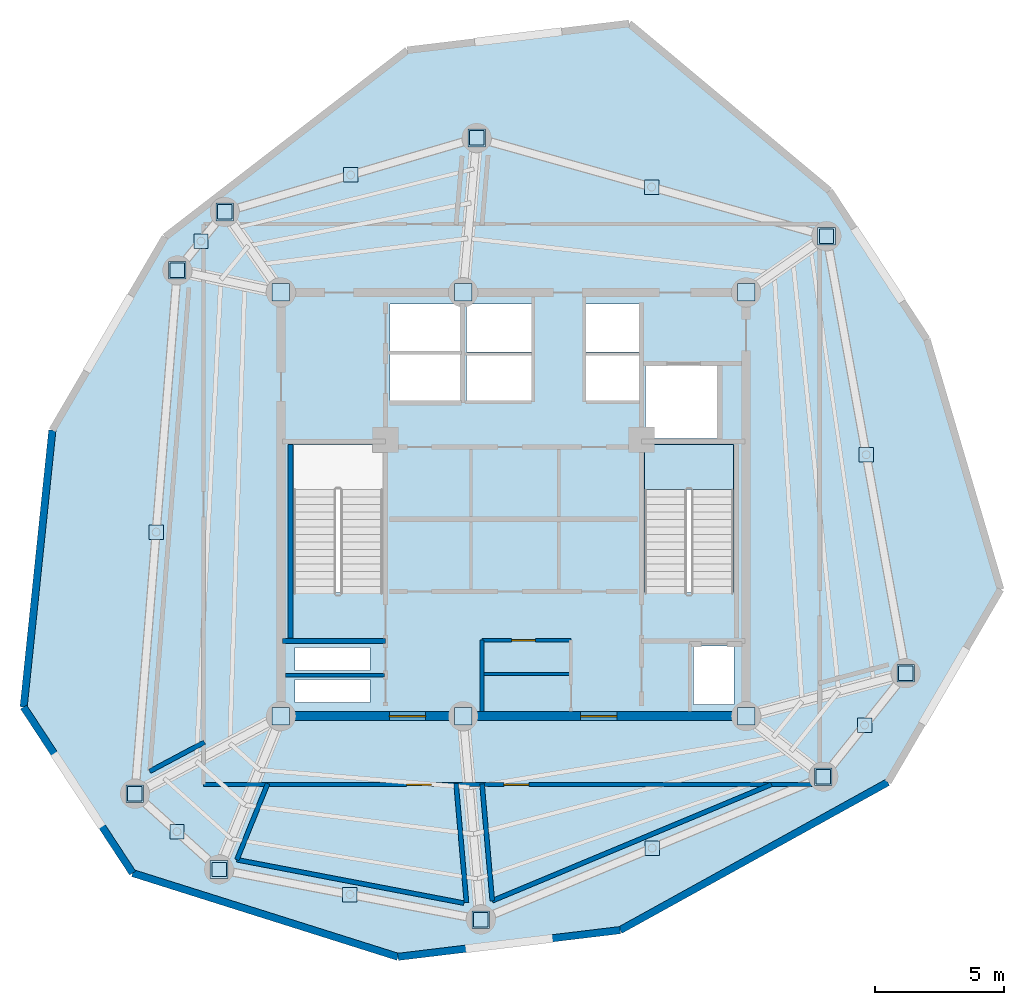
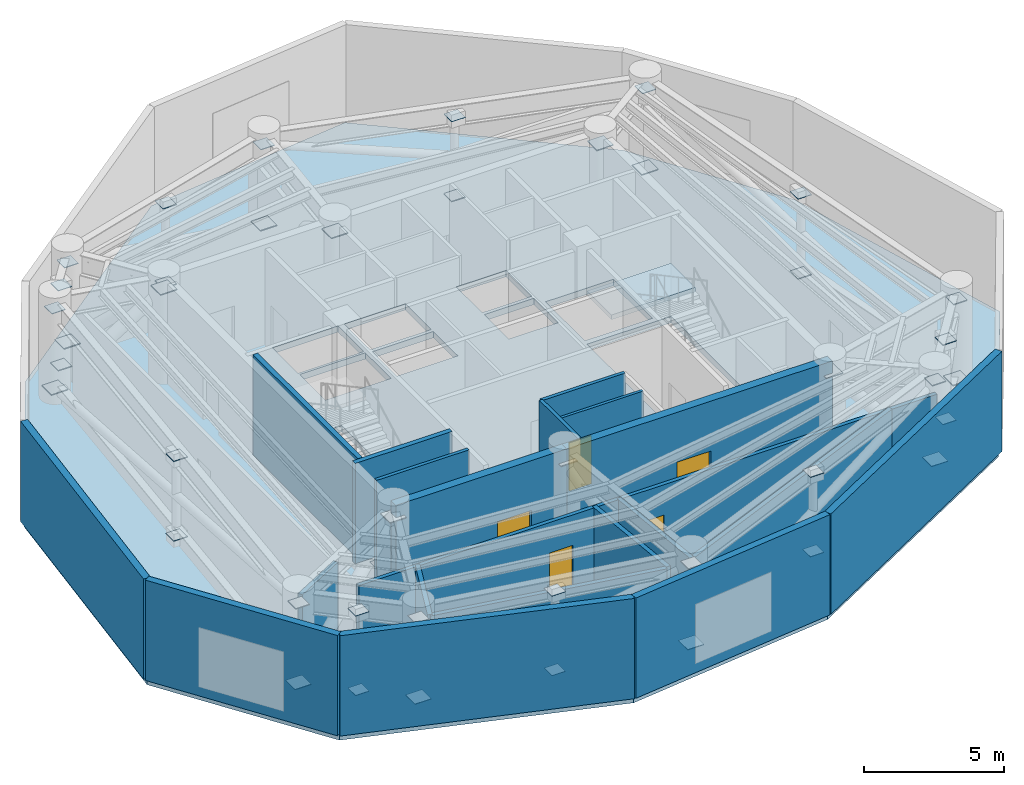
# One storey, part 3 of 8: 42 plates, 20 walls, 5 doors, 2 slabs, 5 openings, 1 element without a shape of its own.
"""IFC4 building model written with IfcOpenShell, lengths in metres."""

import ifcopenshell
import ifcopenshell.guid

model = None  # the IFC model being written
_history = None  # IfcOwnerHistory: only IFC2X3 demands one
_inside = {}  # id of a spatial element -> (the spatial element, [elements in it])
_under = {}  # id of a project, library or spatial element -> (it, [spatial elements below it])
_declared = {}  # id of a project -> (the project, [libraries it declares])
_typed = {}  # id of a type object -> (the type object, [elements of that type])
_made_of = {}  # id of a material, layer set ... -> (it, [elements and type objects made of it])


def new_model(schema):
    """Start an empty IFC model of exactly this schema.

    Asked for "IFC4X3", IfcOpenShell would pick the latest addendum, in which some entities
    have other attributes; the version numbers below select the first issue.
    IFC2X3 requires an IfcOwnerHistory on every rooted entity: one is made here for all.
    """
    global model, _history
    if schema == "IFC4X3":
        model = ifcopenshell.file(schema_version=(4, 3, 0, 0))
    else:
        model = ifcopenshell.file(schema=schema)
    _inside.clear()
    _under.clear()
    _declared.clear()
    _typed.clear()
    _made_of.clear()
    _history = None
    if model.schema == "IFC2X3":
        org = make("IfcOrganization", Name="unknown")
        user = make(
            "IfcPersonAndOrganization",
            ThePerson=make("IfcPerson", FamilyName="unknown"),
            TheOrganization=org,
        )
        app = make(
            "IfcApplication",
            ApplicationDeveloper=org,
            Version="unknown",
            ApplicationFullName="unknown",
            ApplicationIdentifier="unknown",
        )
        _history = make(
            "IfcOwnerHistory",
            OwningUser=user,
            OwningApplication=app,
            ChangeAction="ADDED",
            CreationDate=0,
        )
    return model


def make(cls, **values):
    """One entity of the class cls with the attributes given. An attribute that is None is left unset."""
    return model.create_entity(
        cls, **{name: value for name, value in values.items() if value is not None}
    )


def rooted(cls, **values):
    """An entity with a GlobalId (a new one), such as an element, a storey or a relation."""
    return make(cls, GlobalId=ifcopenshell.guid.new(), OwnerHistory=_history, **values)


def si_unit(unit_type, name, prefix=None):
    """IfcSIUnit, for example si_unit("LENGTHUNIT", "METRE", prefix="MILLI")."""
    return make("IfcSIUnit", UnitType=unit_type, Prefix=prefix, Name=name)


def assignment(units):
    """IfcUnitAssignment: the units of a project."""
    return None if units is None else make("IfcUnitAssignment", Units=units)


def point(xyz):
    """IfcCartesianPoint."""
    return None if xyz is None else make("IfcCartesianPoint", Coordinates=xyz)


def direction(xyz):
    """IfcDirection."""
    return None if xyz is None else make("IfcDirection", DirectionRatios=xyz)


def frame(location, z_axis=None, x_axis=None):
    """IfcAxis2Placement3D, a coordinate frame: its origin and axes. An axis left out is left unset."""
    return make(
        "IfcAxis2Placement3D",
        Location=point(location),
        Axis=direction(z_axis),
        RefDirection=direction(x_axis),
    )


def frame_2d(location, x_axis=None):
    """IfcAxis2Placement2D, a coordinate frame in the plane: its origin and x axis."""
    return make(
        "IfcAxis2Placement2D", Location=point(location), RefDirection=direction(x_axis)
    )


def origin():
    """The frame at (0, 0, 0) with its axes left unset."""
    return frame((0.0, 0.0, 0.0))


def origin_with_axes():
    """The frame at (0, 0, 0) with the z axis (0, 0, 1) and the x axis (1, 0, 0) written out."""
    return frame((0.0, 0.0, 0.0), z_axis=(0.0, 0.0, 1.0), x_axis=(1.0, 0.0, 0.0))


def origin_2d():
    """The frame at (0, 0) in the plane with its x axis left unset."""
    return frame_2d((0.0, 0.0))


def place(relative_to, where):
    """IfcLocalPlacement: puts the frame where relative to a parent placement (None: the world)."""
    return make(
        "IfcLocalPlacement", PlacementRelTo=relative_to, RelativePlacement=where
    )


def context(
    kind, dimensions, precision=None, world=None, true_north=None, identifier=None
):
    """IfcGeometricRepresentationContext, for example the 3D "Model" context."""
    return make(
        "IfcGeometricRepresentationContext",
        ContextIdentifier=identifier,
        ContextType=kind,
        CoordinateSpaceDimension=dimensions,
        Precision=precision,
        WorldCoordinateSystem=world,
        TrueNorth=true_north,
    )


def subcontext(parent, identifier, kind, view, scale=None):
    """IfcGeometricRepresentationSubContext, for example "Body" below "Model"."""
    return make(
        "IfcGeometricRepresentationSubContext",
        ContextIdentifier=identifier,
        ContextType=kind,
        ParentContext=parent,
        TargetScale=scale,
        TargetView=view,
    )


def project(units=None, contexts=None):
    """IfcProject with its units and contexts."""
    return rooted(
        "IfcProject",
        Name="project",
        RepresentationContexts=contexts,
        UnitsInContext=assignment(units),
    )


def spatial(cls, under=None, at=None, **own):
    """A site, building, storey or space (cls), placed at a placement, below another one or the project."""
    s = rooted(cls, ObjectPlacement=at, **own)
    if under is not None:
        _under.setdefault(under.id(), (under, []))[1].append(s)
    return s


def polyline(points):
    """IfcPolyline through the points."""
    return make("IfcPolyline", Points=[point(p) for p in points])


def profile(cls, at=None, kind="AREA", **sizes):
    """A parametric profile (cls). Its sizes go by their IFC names, for example OverallWidth=200.0."""
    return make(cls, ProfileType=kind, Position=at, **sizes)


def rectangle(**sizes):
    """IfcRectangleProfileDef."""
    return profile("IfcRectangleProfileDef", **sizes)


def outline(outer, holes=None, kind="AREA"):
    """IfcArbitraryClosedProfileDef: a profile drawn as a closed curve; with holes, ...WithVoids."""
    if holes is None:
        return make("IfcArbitraryClosedProfileDef", ProfileType=kind, OuterCurve=outer)
    return make(
        "IfcArbitraryProfileDefWithVoids",
        ProfileType=kind,
        OuterCurve=outer,
        InnerCurves=holes,
    )


def extrude(swept, where, along, depth):
    """IfcExtrudedAreaSolid: the profile swept, set in the frame where, extruded along a direction by depth."""
    return make(
        "IfcExtrudedAreaSolid",
        SweptArea=swept,
        Position=where,
        ExtrudedDirection=direction(along),
        Depth=depth,
    )


def shape(context_of_items, identifier, shape_type, items):
    """IfcShapeRepresentation: the items that make up one representation, for example the "Body"."""
    return make(
        "IfcShapeRepresentation",
        ContextOfItems=context_of_items,
        RepresentationIdentifier=identifier,
        RepresentationType=shape_type,
        Items=items,
    )


def source(mapping_origin, context_of_items, identifier, shape_type, items):
    """IfcRepresentationMap: a shape defined once, which mapped items show again and again."""
    return make(
        "IfcRepresentationMap",
        MappingOrigin=mapping_origin,
        MappedRepresentation=shape(context_of_items, identifier, shape_type, items),
    )


def transform(
    local_origin,
    x_axis=None,
    y_axis=None,
    z_axis=None,
    scale=None,
    scale2=None,
    scale3=None,
    uniform=True,
):
    """IfcCartesianTransformationOperator3D, or its non-uniform kind. x_axis, y_axis, z_axis: its Axis1, 2, 3."""
    if uniform:
        return make(
            "IfcCartesianTransformationOperator3D",
            Axis1=direction(x_axis),
            Axis2=direction(y_axis),
            LocalOrigin=point(local_origin),
            Scale=scale,
            Axis3=direction(z_axis),
        )
    return make(
        "IfcCartesianTransformationOperator3DnonUniform",
        Axis1=direction(x_axis),
        Axis2=direction(y_axis),
        LocalOrigin=point(local_origin),
        Scale=scale,
        Axis3=direction(z_axis),
        Scale2=scale2,
        Scale3=scale3,
    )


def mapped(mapping_source, mapping_target):
    """IfcMappedItem: shows the shape of a source again, moved by a transform."""
    return make(
        "IfcMappedItem", MappingSource=mapping_source, MappingTarget=mapping_target
    )


def material(Name=None, Category=None):
    """IfcMaterial."""
    return make("IfcMaterial", Name=Name, Category=Category)


def layer(
    of_material, thickness, ventilated=None, Name=None, Category=None, Priority=None
):
    """IfcMaterialLayer: one layer of a wall or slab, of a material (None: an air gap)."""
    return make(
        "IfcMaterialLayer",
        Material=of_material,
        LayerThickness=thickness,
        IsVentilated=ventilated,
        Name=Name,
        Category=Category,
        Priority=Priority,
    )


def layer_set(layers, Name=None):
    """IfcMaterialLayerSet."""
    return make("IfcMaterialLayerSet", MaterialLayers=layers, LayerSetName=Name)


def made_of(thing, what):
    """Note that an element or type object is made of a material, layer set ...; save() writes the relation."""
    if what is not None:
        _made_of.setdefault(what.id(), (what, []))[1].append(thing)
    return thing


def type_object(cls, material=None, **own):
    """A type object (cls), such as IfcWallType, which elements share."""
    return made_of(rooted(cls, **own), material)


def element(
    cls,
    number,
    at=None,
    inside=None,
    cuts=None,
    type_object=None,
    material=None,
    context=None,
    identifier="Body",
    shape_type=None,
    held_by="IfcProductDefinitionShape",
    body=None,
    shapes=None,
    **own,
):
    """One element of the class cls, such as IfcWall. Its Tag is "e" and its number.

    at: its placement. inside: the storey or other place that contains it. cuts: it is an
    opening in that element (IfcRelVoidsElement). A single representation is given by context,
    identifier, shape_type and body (its items); several are given by shapes. held_by: the class
    of the entity that holds the representations. save() writes the other relations.
    """
    e = rooted(cls, Tag="e%d" % number, ObjectPlacement=at, **own)
    if body is not None:
        shapes = [shape(context, identifier, shape_type, body)]
    if shapes is not None:
        e.Representation = make(held_by, Representations=shapes)
    if inside is not None:
        _inside.setdefault(inside.id(), (inside, []))[1].append(e)
    if cuts is not None:
        rooted(
            "IfcRelVoidsElement", RelatingBuildingElement=cuts, RelatedOpeningElement=e
        )
    if type_object is not None:
        _typed.setdefault(type_object.id(), (type_object, []))[1].append(e)
    return made_of(e, material)


def fill(opening, filler):
    """IfcRelFillsElement: the door or window that sits in an opening."""
    return rooted(
        "IfcRelFillsElement",
        RelatingOpeningElement=opening,
        RelatedBuildingElement=filler,
    )


def aggregate(whole, parts):
    """IfcRelAggregates: a whole, such as a stair, and the parts it consists of."""
    return rooted("IfcRelAggregates", RelatingObject=whole, RelatedObjects=parts)


def save(model, path):
    """Write the relations noted so far, then the file.

    IfcRelAggregates (storeys below a building ...), IfcRelContainedInSpatialStructure (elements
    in a storey), IfcRelDefinesByType, IfcRelAssociatesMaterial and IfcRelDeclares: one each for
    every whole, place, type object, material and project.
    """
    for whole, parts in _under.values():
        aggregate(whole, parts)
    for where, things in _inside.values():
        rooted(
            "IfcRelContainedInSpatialStructure",
            RelatedElements=things,
            RelatingStructure=where,
        )
    for kind, things in _typed.values():
        rooted("IfcRelDefinesByType", RelatedObjects=things, RelatingType=kind)
    for what, things in _made_of.values():
        rooted("IfcRelAssociatesMaterial", RelatedObjects=things, RelatingMaterial=what)
    for by, libraries in _declared.values():
        rooted("IfcRelDeclares", RelatingContext=by, RelatedDefinitions=libraries)
    model.write(path)


model = new_model("IFC4")

# Units and contexts
model_context = context("Model", 3, precision=1e-05, world=origin(), true_north=direction((0.0, 1.0)))
body_context = subcontext(model_context, "Body", "Model", "MODEL_VIEW")
ifc_project = project(units=[si_unit("LENGTHUNIT", "METRE"), si_unit("AREAUNIT", "SQUARE_METRE"), si_unit("VOLUMEUNIT", "CUBIC_METRE"), si_unit("PLANEANGLEUNIT", "RADIAN"), si_unit("MASSUNIT", "GRAM", prefix="KILO")], contexts=[model_context])

# Site, building, storey
site_placement = place(None, origin())
site = spatial("IfcSite", under=ifc_project, at=site_placement, CompositionType="ELEMENT")
building_placement = place(site_placement, origin())
building = spatial("IfcBuilding", under=site, at=building_placement, Name="Karkom Vertical University and Central Library", CompositionType="ELEMENT")
storey_placement = place(building_placement, frame((0.0, 0.0, 268.75)))
storey = spatial("IfcBuildingStorey", under=building, at=storey_placement, Name="P80", CompositionType="ELEMENT", Elevation=268.75)

# Stair, slab
ifc_material_1 = material(Name="Concrete C45/55", Category="concrete")
stair_type = type_object("IfcStairType", Name="INT-STR-ST-MAIN", PredefinedType="HALF_TURN_STAIR", material=ifc_material_1)
stair_placement = place(storey_placement, origin())
stair = element("IfcStair", 1, at=stair_placement, inside=storey, type_object=stair_type, Name="Plant Level 80 Tower Protected Exit Stair ST-2", PredefinedType="HALF_TURN_STAIR")
ifc_layer_1 = layer(ifc_material_1, 0.199951171875)
ifc_layer_set_1 = layer_set([ifc_layer_1], Name="Concrete C45/55")
slab_type_1 = type_object("IfcSlabType", Name="INT-SLB-LANDING", PredefinedType="LANDING", material=ifc_layer_set_1)
slab_1_placement = place(storey_placement, frame((0.0, 0.0, 2.125)))
slab_1 = element("IfcSlab", 2, at=slab_1_placement, type_object=slab_type_1, Name="ST-2 landing 1", PredefinedType="LANDING", context=body_context, shape_type="SweptSolid", body=[
    extrude(outline(polyline([(37.02001953125, 27.080078125), (37.02001953125, 28.820068359375), (33.56005859375, 28.820068359375), (33.56005859375, 27.080078125), (37.02001953125, 27.080078125)])), origin(), (0.0, 0.0, 1.0), 0.199951171875),
])
aggregate(stair, [slab_1])

# Slab
ifc_layer_2 = layer(ifc_material_1, 0.27490234375)
ifc_layer_set_2 = layer_set([ifc_layer_2], Name="Concrete C45/55")
slab_type_2 = type_object("IfcSlabType", Name="STR-SLB-FLR-275", PredefinedType="FLOOR", material=ifc_layer_set_2)
slab_2_placement = place(storey_placement, frame((0.0, 0.0, -0.27490234375)))
element("IfcSlab", 3, at=slab_2_placement, inside=storey, type_object=slab_type_2, Name="Plant Level 80 Tower Structural Floor Slab", PredefinedType="FLOOR", context=body_context, shape_type="SweptSolid", body=[
    extrude(outline(polyline([(9.539794921875, 18.654296875), (13.759521484375, 12.225341796875), (24.02880859375, 8.9833984375), (32.62744140625, 10.01806640625), (42.9873046875, 15.7421875), (47.34765625, 23.20361328125), (44.492919921875, 32.890869140625), (40.725341796875, 38.630859375), (32.97314453125, 45.103515625), (24.392822265625, 44.071044921875), (15.02001953125, 36.843017578125), (10.650390625, 29.365478515625), (9.539794921875, 18.654296875)]), holes=[polyline([(19.97998046875, 23.0849609375), (23.43994140625, 23.0849609375), (23.43994140625, 28.820068359375), (19.97998046875, 28.820068359375), (19.97998046875, 23.0849609375)]), polyline([(33.56005859375, 23.0849609375), (37.02001953125, 23.0849609375), (37.02001953125, 28.820068359375), (33.56005859375, 28.820068359375), (33.56005859375, 23.0849609375)]), polyline([(26.679931640625, 30.5), (29.199951171875, 30.5), (29.199951171875, 32.25), (26.679931640625, 32.25), (26.679931640625, 30.5)]), polyline([(26.679931640625, 32.39990234375), (29.199951171875, 32.39990234375), (29.199951171875, 34.25), (26.679931640625, 34.25), (26.679931640625, 32.39990234375)]), polyline([(31.300048828125, 30.5), (33.35009765625, 30.5), (33.35009765625, 32.25), (31.300048828125, 32.25), (31.300048828125, 30.5)]), polyline([(31.300048828125, 32.39990234375), (33.35009765625, 32.39990234375), (33.35009765625, 34.25), (31.300048828125, 34.25), (31.300048828125, 32.39990234375)]), polyline([(23.719970703125, 30.47998046875), (26.429931640625, 30.47998046875), (26.429931640625, 32.320068359375), (23.719970703125, 32.320068359375), (23.719970703125, 30.47998046875)]), polyline([(23.719970703125, 32.419921875), (26.429931640625, 32.419921875), (26.429931640625, 34.260009765625), (23.719970703125, 34.260009765625), (23.719970703125, 32.419921875)]), polyline([(33.60009765625, 29.050048828125), (36.39990234375, 29.050048828125), (36.39990234375, 31.85009765625), (33.60009765625, 31.85009765625), (33.60009765625, 29.050048828125)]), polyline([(20.050048828125, 18.820068359375), (22.949951171875, 18.820068359375), (22.949951171875, 19.719970703125), (20.050048828125, 19.719970703125), (20.050048828125, 18.820068359375)]), polyline([(20.050048828125, 20.06005859375), (22.949951171875, 20.06005859375), (22.949951171875, 20.9599609375), (20.050048828125, 20.9599609375), (20.050048828125, 20.06005859375)]), polyline([(35.4599609375, 18.760009765625), (37.0400390625, 18.760009765625), (37.0400390625, 21.010009765625), (35.4599609375, 21.010009765625), (35.4599609375, 18.760009765625)])]), origin(), (0.0, 0.0, 1.0), 0.27490234375),
])

# Plates
ifc_material_2 = material(Name="Steel S355", Category="steel")
ifc_layer_3 = layer(ifc_material_2, 0.028076171875)
ifc_layer_set_3 = layer_set([ifc_layer_3], Name="Steel S355")
plate_type_1 = type_object("IfcPlateType", Name="STR-PLT-GP-2", PredefinedType="USERDEFINED", material=ifc_layer_set_3)
shared_shape_1 = source(origin_with_axes(), body_context, "Body", "SweptSolid", [
    extrude(rectangle(XDim=0.56005859375, YDim=0.56005859375, at=origin_2d()), origin(), (0.0, 0.0, 1.0), 0.028076171875),
])
for number, where, z_axis, x_axis, name in (
    (4, (40.613037109375, 36.8798828125, 3.81103515625), (0.0, 0.0, 1.0), (1.0, 0.0, 0.0), "Plant Level 80 Node Gusset Cap Plate P80-BELT-BRACE-01 B"),
    (5, (42.1474609375, 28.41796875, 0.3359375), (0.0, 0.0, 1.0), (1.0, 0.0, 0.0), "Plant Level 80 Node Gusset Cap Plate P80-BELT-POST-01 A"),
    (6, (42.1474609375, 28.41796875, 3.81103515625), (0.0, 0.0, 1.0), (1.0, 0.0, 0.0), "Plant Level 80 Node Gusset Cap Plate P80-BELT-POST-01 B"),
    (7, (27.072998046875, 40.677001953125, 3.81103515625), (0.0, 0.0, 1.0), (1.0, 0.0, 0.0), "Plant Level 80 Node Gusset Cap Plate P80-BELT-BRACE-02 B"),
    (8, (33.843017578125, 38.778564453125, 0.3359375), (0.0, 0.0, 1.0), (1.0, 0.0, 0.0), "Plant Level 80 Node Gusset Cap Plate P80-BELT-POST-02 A"),
    (9, (33.843017578125, 38.778564453125, 3.81103515625), (0.0, 0.0, 1.0), (1.0, 0.0, 0.0), "Plant Level 80 Node Gusset Cap Plate P80-BELT-POST-02 B"),
    (10, (17.320068359375, 37.81298828125, 3.81103515625), (0.0, 0.0, 1.0), (1.0, 0.0, 0.0), "Plant Level 80 Node Gusset Cap Plate P80-BELT-BRACE-03 B"),
    (11, (22.196533203125, 39.2451171875, 0.3359375), (0.0, 0.0, 1.0), (1.0, 0.0, 0.0), "Plant Level 80 Node Gusset Cap Plate P80-BELT-POST-03 A"),
    (12, (22.196533203125, 39.2451171875, 3.81103515625), (0.0, 0.0, 1.0), (1.0, 0.0, 0.0), "Plant Level 80 Node Gusset Cap Plate P80-BELT-POST-03 B"),
    (13, (15.489990234375, 35.552001953125, 3.81103515625), (0.0, 0.0, 1.0), (1.0, 0.0, 0.0), "Plant Level 80 Node Gusset Cap Plate P80-BELT-BRACE-04 B"),
    (14, (16.405029296875, 36.6826171875, 0.3359375), (0.0, 0.0, 1.0), (1.0, 0.0, 0.0), "Plant Level 80 Node Gusset Cap Plate P80-BELT-POST-04 A"),
    (15, (16.405029296875, 36.6826171875, 3.81103515625), (0.0, 0.0, 1.0), (1.0, 0.0, 0.0), "Plant Level 80 Node Gusset Cap Plate P80-BELT-POST-04 B"),
    (16, (13.84912109375, 15.294921875, 3.81103515625), (0.0, 0.0, 1.0), (1.0, 0.0, 0.0), "Plant Level 80 Node Gusset Cap Plate P80-BELT-BRACE-05 B"),
    (17, (14.66943359375, 25.423583984375, 0.3359375), (0.0, 0.0, 1.0), (1.0, 0.0, 0.0), "Plant Level 80 Node Gusset Cap Plate P80-BELT-POST-05 A"),
    (18, (14.66943359375, 25.423583984375, 3.81103515625), (0.0, 0.0, 1.0), (1.0, 0.0, 0.0), "Plant Level 80 Node Gusset Cap Plate P80-BELT-POST-05 B"),
    (19, (17.10302734375, 12.365966796875, 3.81103515625), (0.0, 0.0, 1.0), (1.0, 0.0, 0.0), "Plant Level 80 Node Gusset Cap Plate P80-BELT-BRACE-06 B"),
    (20, (15.47607421875, 13.83056640625, 0.3359375), (0.0, 0.0, 1.0), (1.0, 0.0, 0.0), "Plant Level 80 Node Gusset Cap Plate P80-BELT-POST-06 A"),
    (21, (15.47607421875, 13.83056640625, 3.81103515625), (0.0, 0.0, 1.0), (1.0, 0.0, 0.0), "Plant Level 80 Node Gusset Cap Plate P80-BELT-POST-06 B"),
    (22, (27.239013671875, 10.429931640625, 3.81103515625), (0.0, 0.0, 1.0), (1.0, 0.0, 0.0), "Plant Level 80 Node Gusset Cap Plate P80-BELT-BRACE-07 B"),
    (23, (22.1708984375, 11.39794921875, 0.3359375), (0.0, 0.0, 1.0), (1.0, 0.0, 0.0), "Plant Level 80 Node Gusset Cap Plate P80-BELT-POST-07 A"),
    (24, (22.1708984375, 11.39794921875, 3.81103515625), (0.0, 0.0, 1.0), (1.0, 0.0, 0.0), "Plant Level 80 Node Gusset Cap Plate P80-BELT-POST-07 B"),
    (25, (40.493896484375, 15.9599609375, 3.81103515625), (0.0, 0.0, 1.0), (1.0, 0.0, 0.0), "Plant Level 80 Node Gusset Cap Plate P80-BELT-BRACE-08 B"),
    (26, (33.866455078125, 13.195068359375, 0.3359375), (0.0, 0.0, 1.0), (1.0, 0.0, 0.0), "Plant Level 80 Node Gusset Cap Plate P80-BELT-POST-08 A"),
    (27, (33.866455078125, 13.195068359375, 3.81103515625), (0.0, 0.0, 1.0), (1.0, 0.0, 0.0), "Plant Level 80 Node Gusset Cap Plate P80-BELT-POST-08 B"),
    (28, (43.681884765625, 19.9560546875, 3.81103515625), (0.0, 0.0, 1.0), (1.0, 0.0, 0.0), "Plant Level 80 Node Gusset Cap Plate P80-BELT-BRACE-09 B"),
    (29, (42.087890625, 17.9580078125, 0.3359375), (0.0, 0.0, 1.0), (1.0, 0.0, 0.0), "Plant Level 80 Node Gusset Cap Plate P80-BELT-POST-09 A"),
    (30, (42.087890625, 17.9580078125, 3.81103515625), (0.0, 0.0, 1.0), (1.0, 0.0, 0.0), "Plant Level 80 Node Gusset Cap Plate P80-BELT-POST-09 B"),
):
    element("IfcPlate", number, at=place(storey_placement, frame(where, z_axis=z_axis, x_axis=x_axis)), inside=storey, type_object=plate_type_1, Name=name, ObjectType="GUSSET PLATE", PredefinedType="USERDEFINED", context=body_context, shape_type="MappedRepresentation", body=[
        mapped(shared_shape_1, transform((0.0, 0.0, 0.0), scale=1.0)),
    ])
ifc_layer_4 = layer(ifc_material_2, 0.031982421875)
ifc_layer_set_4 = layer_set([ifc_layer_4], Name="Steel S355")
plate_type_2 = type_object("IfcPlateType", Name="STR-PLT-GP-1", PredefinedType="USERDEFINED", material=ifc_layer_set_4)
shared_shape_2 = source(origin_with_axes(), body_context, "Body", "SweptSolid", [
    extrude(rectangle(XDim=0.679931640625, YDim=0.679931640625, at=origin_2d()), origin(), (0.0, 0.0, 1.0), 0.031982421875),
])
for number, where, z_axis, x_axis, name in (
    (31, (43.681884765625, 19.9560546875, 0.333984375), (0.0, 0.0, 1.0), (1.0, 0.0, 0.0), "Plant Level 80 Node Gusset Cap Plate P80-BELT-BRACE-01 A"),
    (32, (40.613037109375, 36.8798828125, 0.333984375), (0.0, 0.0, 1.0), (1.0, 0.0, 0.0), "Plant Level 80 Node Gusset Cap Plate P80-BELT-CHORD-01 B"),
    (33, (27.072998046875, 40.677001953125, 0.333984375), (0.0, 0.0, 1.0), (1.0, 0.0, 0.0), "Plant Level 80 Node Gusset Cap Plate P80-BELT-CHORD-02 B"),
    (34, (17.320068359375, 37.81298828125, 0.333984375), (0.0, 0.0, 1.0), (1.0, 0.0, 0.0), "Plant Level 80 Node Gusset Cap Plate P80-BELT-CHORD-03 B"),
    (35, (15.489990234375, 35.552001953125, 0.333984375), (0.0, 0.0, 1.0), (1.0, 0.0, 0.0), "Plant Level 80 Node Gusset Cap Plate P80-BELT-CHORD-04 B"),
    (36, (13.84912109375, 15.294921875, 0.333984375), (0.0, 0.0, 1.0), (1.0, 0.0, 0.0), "Plant Level 80 Node Gusset Cap Plate P80-BELT-CHORD-05 B"),
    (37, (17.10302734375, 12.365966796875, 0.333984375), (0.0, 0.0, 1.0), (1.0, 0.0, 0.0), "Plant Level 80 Node Gusset Cap Plate P80-BELT-CHORD-06 B"),
    (38, (27.239013671875, 10.429931640625, 0.333984375), (0.0, 0.0, 1.0), (1.0, 0.0, 0.0), "Plant Level 80 Node Gusset Cap Plate P80-BELT-CHORD-07 B"),
    (39, (40.493896484375, 15.9599609375, 0.333984375), (0.0, 0.0, 1.0), (1.0, 0.0, 0.0), "Plant Level 80 Node Gusset Cap Plate P80-BELT-CHORD-08 B"),
    (40, (37.5, 18.300048828125, 3.80908203125), (0.0, 0.0, 1.0), (1.0, 0.0, 0.0), "Plant Level 80 Node Gusset Cap Plate P80-OUTRIGGER-BRACE-01 A"),
    (41, (37.5, 34.699951171875, 3.80908203125), (0.0, 0.0, 1.0), (1.0, 0.0, 0.0), "Plant Level 80 Node Gusset Cap Plate P80-OUTRIGGER-BRACE-02 A"),
    (42, (26.550048828125, 34.699951171875, 3.80908203125), (0.0, 0.0, 1.0), (1.0, 0.0, 0.0), "Plant Level 80 Node Gusset Cap Plate P80-OUTRIGGER-BRACE-03 A"),
    (43, (19.5, 34.699951171875, 3.80908203125), (0.0, 0.0, 1.0), (1.0, 0.0, 0.0), "Plant Level 80 Node Gusset Cap Plate P80-OUTRIGGER-BRACE-04 A"),
    (44, (19.5, 18.300048828125, 3.80908203125), (0.0, 0.0, 1.0), (1.0, 0.0, 0.0), "Plant Level 80 Node Gusset Cap Plate P80-OUTRIGGER-BRACE-06 A"),
    (45, (26.550048828125, 18.300048828125, 3.80908203125), (0.0, 0.0, 1.0), (1.0, 0.0, 0.0), "Plant Level 80 Node Gusset Cap Plate P80-OUTRIGGER-BRACE-08 A"),
):
    element("IfcPlate", number, at=place(storey_placement, frame(where, z_axis=z_axis, x_axis=x_axis)), inside=storey, type_object=plate_type_2, Name=name, ObjectType="GUSSET PLATE", PredefinedType="USERDEFINED", context=body_context, shape_type="MappedRepresentation", body=[
        mapped(shared_shape_2, transform((0.0, 0.0, 0.0), scale=1.0)),
    ])

# Walls
ifc_material_3 = material(Name="Brick-faced precast concrete C45/55", Category="masonry")
ifc_layer_5 = layer(ifc_material_3, 0.280029296875)
ifc_layer_set_5 = layer_set([ifc_layer_5], Name="Brick-faced precast concrete C45/55")
wall_type_1 = type_object("IfcWallType", Name="ENV-WL-BRK-280", PredefinedType="SOLIDWALL", material=ifc_layer_set_5)
wall_1_placement = place(storey_placement, frame((9.539794921875, 18.654296875, 0.0), z_axis=(0.0, 0.0, 1.0), x_axis=(0.548722318378, -0.836004675414, 0.0)))
element("IfcWall", 46, at=wall_1_placement, inside=storey, type_object=wall_type_1, Name="Plant Level 80 Brick-Faced Precast Facade Wall 01", PredefinedType="SOLIDWALL", context=body_context, shape_type="SweptSolid", body=[
    extrude(rectangle(XDim=7.690185546875, YDim=0.280029296875, at=frame_2d((3.84521484375, 0.0))), origin(), (0.0, 0.0, 1.0), 4.375),
])
wall_2_placement = place(storey_placement, frame((13.759521484375, 12.225341796875, 0.0), z_axis=(0.0, 0.0, 1.0), x_axis=(0.953609044317, -0.301047821113, 0.0)))
element("IfcWall", 47, at=wall_2_placement, inside=storey, type_object=wall_type_1, Name="Plant Level 80 Brick-Faced Precast Facade Wall 02", PredefinedType="SOLIDWALL", context=body_context, shape_type="SweptSolid", body=[
    extrude(rectangle(XDim=10.768798828125, YDim=0.280029296875, at=frame_2d((5.38427734375, 0.0))), origin(), (0.0, 0.0, 1.0), 4.375),
])
wall_3_placement = place(storey_placement, frame((24.02880859375, 8.9833984375, 0.0), z_axis=(0.0, 0.0, 1.0), x_axis=(0.992838103252, 0.119467571879, 0.0)))
element("IfcWall", 48, at=wall_3_placement, inside=storey, type_object=wall_type_1, Name="Plant Level 80 Brick-Faced Precast Facade Wall 03", PredefinedType="SOLIDWALL", context=body_context, shape_type="SweptSolid", body=[
    extrude(rectangle(XDim=8.66064453125, YDim=0.280029296875, at=frame_2d((4.330322265625, 0.0))), origin(), (0.0, 0.0, 1.0), 4.375),
])
wall_4_placement = place(storey_placement, frame((32.62744140625, 10.01806640625, 0.0), z_axis=(0.0, 0.0, 1.0), x_axis=(0.875279678708, 0.483617084107, 0.0)))
element("IfcWall", 49, at=wall_4_placement, inside=storey, type_object=wall_type_1, Name="Plant Level 80 Brick-Faced Precast Facade Wall 04", PredefinedType="SOLIDWALL", context=body_context, shape_type="SweptSolid", body=[
    extrude(rectangle(XDim=11.836181640625, YDim=0.280029296875, at=frame_2d((5.91796875, 0.0))), origin(), (0.0, 0.0, 1.0), 4.375),
])
wall_5_placement = place(storey_placement, frame((10.650390625, 29.365478515625, 0.0), z_axis=(0.0, 0.0, 1.0), x_axis=(-0.103132744922, -0.994667601224, 0.0)))
element("IfcWall", 50, at=wall_5_placement, inside=storey, type_object=wall_type_1, Name="Plant Level 80 Brick-Faced Precast Facade Wall 12", PredefinedType="SOLIDWALL", context=body_context, shape_type="SweptSolid", body=[
    extrude(rectangle(XDim=10.7685546875, YDim=0.280029296875, at=frame_2d((5.38427734375, 0.0))), origin(), (0.0, 0.0, 1.0), 4.375),
])

# Wall, openings, doors
ifc_material_4 = material(Name="Insulated metal-stud drywall 160mm", Category="gypsum")
ifc_layer_6 = layer(ifc_material_4, 0.159912109375)
ifc_layer_set_6 = layer_set([ifc_layer_6], Name="Insulated metal-stud drywall 160mm")
wall_type_2 = type_object("IfcWallType", Name="INT-WL-COR-160F", PredefinedType="PARTITIONING", material=ifc_layer_set_6)
wall_6_placement = place(storey_placement, frame((40.35009765625, 15.64990234375, 0.0), z_axis=(0.0, 0.0, 1.0), x_axis=(-1.0, 0.0, 0.0)))
wall_6 = element("IfcWall", 51, at=wall_6_placement, inside=storey, type_object=wall_type_2, Name="Plant Level 80 Interior Partition Wall P80-PCORW-CW-001", PredefinedType="PARTITIONING", context=body_context, shape_type="SweptSolid", body=[
    extrude(rectangle(XDim=23.85009765625, YDim=0.159912109375, at=frame_2d((11.925048828125, 0.0))), origin(), (0.0, 0.0, 1.0), 3.47509765625),
])
opening_1_placement = place(wall_6_placement, frame((15.027587890625, 0.0, 0.0)))
opening_1 = element("IfcOpeningElement", 52, at=opening_1_placement, cuts=wall_6, Name="Opening FD-RM1", PredefinedType="OPENING", context=body_context, shape_type="SweptSolid", body=[
    extrude(rectangle(XDim=0.9599609375, YDim=2.14990234375, at=frame_2d((0.47998046875, 1.074951171875))), frame((0.0, 0.08984375, 0.0), z_axis=(0.0, -1.0, 0.0), x_axis=(1.0, 0.0, 0.0)), (0.0, 0.0, 1.0), 0.179931640625),
])
opening_2_placement = place(wall_6_placement, frame((11.260009765625, 0.0, 0.0)))
opening_2 = element("IfcOpeningElement", 53, at=opening_2_placement, cuts=wall_6, Name="Opening FD-RM1", PredefinedType="OPENING", context=body_context, shape_type="SweptSolid", body=[
    extrude(rectangle(XDim=0.9599609375, YDim=2.14990234375, at=frame_2d((0.47998046875, 1.074951171875))), frame((0.0, 0.08984375, 0.0), z_axis=(0.0, -1.0, 0.0), x_axis=(1.0, 0.0, 0.0)), (0.0, 0.0, 1.0), 0.179931640625),
])
ifc_material_5 = material(Name="Fire-rated oak veneer door", Category="wood")
door_type_1 = type_object("IfcDoorType", Name="INT-DR-FRM1", OperationType="NOTDEFINED", PredefinedType="DOOR", material=ifc_material_5)
shared_shape_3 = source(origin_with_axes(), body_context, "Body", "SweptSolid", [
    extrude(rectangle(XDim=0.9599609375, YDim=2.14990234375, at=frame_2d((0.47998046875, 1.074951171875))), frame((0.0, 0.02490234375, 0.0), z_axis=(0.0, -1.0, 0.0), x_axis=(1.0, 0.0, 0.0)), (0.0, 0.0, 1.0), 0.050048828125),
])
door_1_placement = place(opening_1_placement, origin())
door_1 = element("IfcDoor", 54, at=door_1_placement, inside=storey, type_object=door_type_1, Name="Plant Level 80 Room Entry Door 701", OperationType="SINGLE_SWING_LEFT", OverallHeight=2.14990234375, OverallWidth=0.9599609375, PredefinedType="DOOR", context=body_context, shape_type="MappedRepresentation", body=[
    mapped(shared_shape_3, transform((0.0, 0.0, 0.0), scale=1.0)),
])
fill(opening_1, door_1)
door_2_placement = place(opening_2_placement, origin())
door_2 = element("IfcDoor", 55, at=door_2_placement, inside=storey, type_object=door_type_1, Name="Plant Level 80 Room Entry Door 702", OperationType="SINGLE_SWING_RIGHT", OverallHeight=2.14990234375, OverallWidth=0.9599609375, PredefinedType="DOOR", context=body_context, shape_type="MappedRepresentation", body=[
    mapped(shared_shape_3, transform((0.0, 0.0, 0.0), scale=1.0)),
])
fill(opening_2, door_2)

# Wall
ifc_material_6 = material(Name="Moisture-resistant drywall 120mm", Category="gypsum")
ifc_layer_7 = layer(ifc_material_6, 0.1201171875)
ifc_layer_set_7 = layer_set([ifc_layer_7], Name="Moisture-resistant drywall 120mm")
wall_type_3 = type_object("IfcWallType", Name="INT-WL-INT-120", PredefinedType="PARTITIONING", material=ifc_layer_set_7)
wall_7_placement = place(storey_placement, frame((27.280029296875, 19.93994140625, 0.0), z_axis=(0.0, 0.0, 1.0), x_axis=(1.0, 0.0, 0.0)))
element("IfcWall", 56, at=wall_7_placement, inside=storey, type_object=wall_type_3, Name="Plant Level 80 Interior Partition Wall P80-CW-K4-DIV", PredefinedType="PARTITIONING", context=body_context, shape_type="SweptSolid", body=[
    extrude(rectangle(XDim=3.43994140625, YDim=0.1201171875, at=frame_2d((1.719970703125, 0.0))), origin(), (0.0, 0.0, 1.0), 4.375),
])

# Wall, opening, door
ifc_material_7 = material(Name="Metal-stud gypsum partition 140mm", Category="gypsum")
ifc_layer_8 = layer(ifc_material_7, 0.139892578125)
ifc_layer_set_8 = layer_set([ifc_layer_8], Name="Metal-stud gypsum partition 140mm")
wall_type_4 = type_object("IfcWallType", Name="INT-WL-SUB-140", PredefinedType="PARTITIONING", material=ifc_layer_set_8)
wall_8_placement = place(storey_placement, frame((27.280029296875, 21.239990234375, 0.0), z_axis=(0.0, 0.0, 1.0), x_axis=(1.0, 0.0, 0.0)))
wall_8 = element("IfcWall", 57, at=wall_8_placement, inside=storey, type_object=wall_type_4, Name="Plant Level 80 Interior Partition Wall P80-CW-KBAY-N", PredefinedType="PARTITIONING", context=body_context, shape_type="SweptSolid", body=[
    extrude(rectangle(XDim=3.43994140625, YDim=0.139892578125, at=frame_2d((1.719970703125, 0.0))), origin(), (0.0, 0.0, 1.0), 4.375),
])
opening_3_placement = place(wall_8_placement, frame((1.14990234375, 0.0, 0.0)))
opening_3 = element("IfcOpeningElement", 58, at=opening_3_placement, cuts=wall_8, Name="Opening D-SVC1", PredefinedType="OPENING", context=body_context, shape_type="SweptSolid", body=[
    extrude(rectangle(XDim=0.919921875, YDim=2.10009765625, at=frame_2d((0.4599609375, 1.050048828125))), frame((0.0, 0.080078125, 0.0), z_axis=(0.0, -1.0, 0.0), x_axis=(1.0, 0.0, 0.0)), (0.0, 0.0, 1.0), 0.159912109375),
])
ifc_material_8 = material(Name="Painted timber service door", Category="wood")
door_type_2 = type_object("IfcDoorType", Name="INT-DR-SVC1", OperationType="NOTDEFINED", PredefinedType="DOOR", material=ifc_material_8)
shared_shape_4 = source(origin_with_axes(), body_context, "Body", "SweptSolid", [
    extrude(rectangle(XDim=0.919921875, YDim=2.10009765625, at=frame_2d((0.4599609375, 1.050048828125))), frame((0.0, 0.02490234375, 0.0), z_axis=(0.0, -1.0, 0.0), x_axis=(1.0, 0.0, 0.0)), (0.0, 0.0, 1.0), 0.050048828125),
])
door_3_placement = place(opening_3_placement, origin())
door_3 = element("IfcDoor", 59, at=door_3_placement, inside=storey, type_object=door_type_2, Name="Plant Level 80 Valve Cupboard Door", OperationType="SINGLE_SWING_RIGHT", OverallHeight=2.10009765625, OverallWidth=0.919921875, PredefinedType="DOOR", context=body_context, shape_type="MappedRepresentation", body=[
    mapped(shared_shape_4, transform((0.0, 0.0, 0.0), scale=1.0)),
])
fill(opening_3, door_3)

# Walls
wall_9_placement = place(storey_placement, frame((27.280029296875, 18.48193359375, 0.0), z_axis=(0.0, 0.0, 1.0), x_axis=(0.0, 1.0, 0.0)))
element("IfcWall", 60, at=wall_9_placement, inside=storey, type_object=wall_type_4, Name="Plant Level 80 Interior Partition Wall P80-CW-KBAY-W", PredefinedType="PARTITIONING", context=body_context, shape_type="SweptSolid", body=[
    extrude(rectangle(XDim=2.758056640625, YDim=0.139892578125, at=frame_2d((1.37890625, 0.0))), origin(), (0.0, 0.0, 1.0), 4.375),
])
ifc_layer_9 = layer(ifc_material_7, 0.139892578125)
ifc_layer_set_9 = layer_set([ifc_layer_9], Name="Metal-stud gypsum partition 140mm")
wall_type_5 = type_object("IfcWallType", Name="INT-WL-SUB-140H", PredefinedType="PARTITIONING", material=ifc_layer_set_9)
wall_10_placement = place(storey_placement, frame((19.681884765625, 19.889892578125, 0.0), z_axis=(0.0, 0.0, 1.0), x_axis=(1.0, 0.0, 0.0)))
element("IfcWall", 61, at=wall_10_placement, inside=storey, type_object=wall_type_5, Name="Plant Level 80 Interior Partition Wall P80-CW-RIS-W", PredefinedType="PARTITIONING", context=body_context, shape_type="SweptSolid", body=[
    extrude(rectangle(XDim=3.8154296875, YDim=0.139892578125, at=frame_2d((1.90771484375, 0.0))), origin(), (0.0, 0.0, 1.0), 4.375),
])
ifc_material_9 = material(Name="Twin-stud acoustic drywall 180mm", Category="gypsum")
ifc_layer_10 = layer(ifc_material_9, 0.179931640625)
ifc_layer_set_10 = layer_set([ifc_layer_10], Name="Twin-stud acoustic drywall 180mm")
wall_type_6 = type_object("IfcWallType", Name="INT-WL-TEN-180F", PredefinedType="PARTITIONING", material=ifc_layer_set_10)
wall_11_placement = place(storey_placement, frame((38.47998046875, 15.66162109375, 0.0), z_axis=(0.0, 0.0, 1.0), x_axis=(-0.922900953469, -0.38503743985, 0.0)))
element("IfcWall", 62, at=wall_11_placement, inside=storey, type_object=wall_type_6, Name="Plant Level 80 Interior Partition Wall P80-PLCHW-006", PredefinedType="PARTITIONING", context=body_context, shape_type="SweptSolid", body=[
    extrude(rectangle(XDim=11.704833984375, YDim=0.179931640625, at=frame_2d((5.8525390625, 0.0))), origin(), (0.0, 0.0, 1.0), 3.47509765625),
])
wall_12_placement = place(storey_placement, frame((26.5791015625, 11.065185546875, 0.0), z_axis=(0.0, 0.0, 1.0), x_axis=(-0.982246697431, 0.187593777576, 0.0)))
element("IfcWall", 63, at=wall_12_placement, inside=storey, type_object=wall_type_6, Name="Plant Level 80 Interior Partition Wall P80-PLCHW-003", PredefinedType="PARTITIONING", context=body_context, shape_type="SweptSolid", body=[
    extrude(rectangle(XDim=8.943359375, YDim=0.179931640625, at=frame_2d((4.4716796875, 0.0))), origin(), (0.0, 0.0, 1.0), 3.47509765625),
])
wall_13_placement = place(storey_placement, frame((26.276123046875, 15.69482421875, 0.0), z_axis=(0.0, 0.0, 1.0), x_axis=(0.087201675946, -0.996190678391, 0.0)))
element("IfcWall", 64, at=wall_13_placement, inside=storey, type_object=wall_type_6, Name="Plant Level 80 Interior Partition Wall P80-PLCHW-005", PredefinedType="PARTITIONING", context=body_context, shape_type="SweptSolid", body=[
    extrude(rectangle(XDim=4.622314453125, YDim=0.179931640625, at=frame_2d((2.31103515625, 0.0))), origin(), (0.0, 0.0, 1.0), 3.47509765625),
])
wall_14_placement = place(storey_placement, frame((27.677490234375, 11.15478515625, 0.0), z_axis=(0.0, 0.0, 1.0), x_axis=(-0.08723028893, 0.996188173335, 0.0)))
element("IfcWall", 65, at=wall_14_placement, inside=storey, type_object=wall_type_6, Name="Plant Level 80 Interior Partition Wall P80-PLCHW-007", PredefinedType="PARTITIONING", context=body_context, shape_type="SweptSolid", body=[
    extrude(rectangle(XDim=4.54248046875, YDim=0.179931640625, at=frame_2d((2.271240234375, 0.0))), origin(), (0.0, 0.0, 1.0), 3.47509765625),
])
wall_15_placement = place(storey_placement, frame((17.79443359375, 12.742919921875, 0.0), z_axis=(0.0, 0.0, 1.0), x_axis=(0.3745518988, 0.92720595075, 0.0)))
element("IfcWall", 66, at=wall_15_placement, inside=storey, type_object=wall_type_6, Name="Plant Level 80 Interior Partition Wall P80-PLCHW-004", PredefinedType="PARTITIONING", context=body_context, shape_type="SweptSolid", body=[
    extrude(rectangle(XDim=3.18017578125, YDim=0.179931640625, at=frame_2d((1.590087890625, 0.0))), origin(), (0.0, 0.0, 1.0), 3.47509765625),
])
wall_16_placement = place(storey_placement, frame((16.539794921875, 17.2919921875, 0.0), z_axis=(0.0, 0.0, 1.0), x_axis=(-0.882954950229, -0.469457725323, 0.0)))
element("IfcWall", 67, at=wall_16_placement, inside=storey, type_object=wall_type_6, Name="Plant Level 80 Interior Partition Wall P80-PLCHW-001", PredefinedType="PARTITIONING", context=body_context, shape_type="SweptSolid", body=[
    extrude(rectangle(XDim=2.3994140625, YDim=0.179931640625, at=frame_2d((1.19970703125, 0.0))), origin(), (0.0, 0.0, 1.0), 3.47509765625),
])

# Wall, opening, door
ifc_layer_11 = layer(ifc_material_1, 0.35009765625)
ifc_layer_set_11 = layer_set([ifc_layer_11], Name="Concrete C45/55")
wall_type_7 = type_object("IfcWallType", Name="STR-WL-CW-350", PredefinedType="SHEAR", material=ifc_layer_set_11)
wall_17_placement = place(storey_placement, frame((19.5, 18.300048828125, 0.0), z_axis=(0.0, 0.0, 1.0), x_axis=(1.0, 0.0, 0.0)))
wall_17 = element("IfcWall", 68, at=wall_17_placement, inside=storey, type_object=wall_type_7, Name="Plant Level 80 Central Core Shear Wall SW1", PredefinedType="SHEAR", context=body_context, shape_type="SweptSolid", body=[
    extrude(rectangle(XDim=7.050048828125, YDim=0.35009765625, at=frame_2d((3.52490234375, 0.0))), origin(), (0.0, 0.0, 1.0), 4.375),
])
opening_4_placement = place(wall_17_placement, frame((4.199951171875, 0.0, 0.0)))
opening_4 = element("IfcOpeningElement", 69, at=opening_4_placement, cuts=wall_17, Name="Opening FD-CLB", PredefinedType="OPENING", context=body_context, shape_type="SweptSolid", body=[
    extrude(rectangle(XDim=1.39990234375, YDim=2.199951171875, at=frame_2d((0.699951171875, 1.10009765625))), frame((0.0, 0.18505859375, 0.0), z_axis=(0.0, -1.0, 0.0), x_axis=(1.0, 0.0, 0.0)), (0.0, 0.0, 1.0), 0.3701171875),
])
ifc_material_10 = material(Name="Painted steel fire door", Category="steel")
door_type_3 = type_object("IfcDoorType", Name="INT-DR-CLB", OperationType="DOUBLE_DOOR_SINGLE_SWING", PredefinedType="DOOR", material=ifc_material_10)
shared_shape_5 = source(origin_with_axes(), body_context, "Body", "SweptSolid", [
    extrude(rectangle(XDim=1.39990234375, YDim=2.199951171875, at=frame_2d((0.699951171875, 1.10009765625))), frame((0.0, 0.02490234375, 0.0), z_axis=(0.0, -1.0, 0.0), x_axis=(1.0, 0.0, 0.0)), (0.0, 0.0, 1.0), 0.050048828125),
])
door_4_placement = place(opening_4_placement, origin())
door_4 = element("IfcDoor", 70, at=door_4_placement, inside=storey, type_object=door_type_3, Name="Plant Level 80 South Core Lobby West Exit Door", OperationType="DOUBLE_DOOR_SINGLE_SWING", OverallHeight=2.199951171875, OverallWidth=1.39990234375, PredefinedType="DOOR", context=body_context, shape_type="MappedRepresentation", body=[
    mapped(shared_shape_5, transform((0.0, 0.0, 0.0), scale=1.0)),
])
fill(opening_4, door_4)

wall_18_placement = place(storey_placement, frame((26.550048828125, 18.300048828125, 0.0), z_axis=(0.0, 0.0, 1.0), x_axis=(1.0, 0.0, 0.0)))
wall_18 = element("IfcWall", 71, at=wall_18_placement, inside=storey, type_object=wall_type_7, Name="Plant Level 80 Central Core Shear Wall SW2", PredefinedType="SHEAR", context=body_context, shape_type="SweptSolid", body=[
    extrude(rectangle(XDim=10.949951171875, YDim=0.35009765625, at=frame_2d((5.47509765625, 0.0))), origin(), (0.0, 0.0, 1.0), 4.375),
])
opening_5_placement = place(wall_18_placement, frame((4.550048828125, 0.0, 0.0)))
opening_5 = element("IfcOpeningElement", 72, at=opening_5_placement, cuts=wall_18, Name="Opening FD-CLB", PredefinedType="OPENING", context=body_context, shape_type="SweptSolid", body=[
    extrude(rectangle(XDim=1.39990234375, YDim=2.199951171875, at=frame_2d((0.699951171875, 1.10009765625))), frame((0.0, 0.18505859375, 0.0), z_axis=(0.0, -1.0, 0.0), x_axis=(1.0, 0.0, 0.0)), (0.0, 0.0, 1.0), 0.3701171875),
])
door_5_placement = place(opening_5_placement, origin())
door_5 = element("IfcDoor", 73, at=door_5_placement, inside=storey, type_object=door_type_3, Name="Plant Level 80 South Core Lobby East Exit Door", OperationType="DOUBLE_DOOR_SINGLE_SWING", OverallHeight=2.199951171875, OverallWidth=1.39990234375, PredefinedType="DOOR", context=body_context, shape_type="MappedRepresentation", body=[
    mapped(shared_shape_5, transform((0.0, 0.0, 0.0), scale=1.0)),
])
fill(opening_5, door_5)

# Walls
ifc_layer_12 = layer(ifc_material_1, 0.199951171875)
ifc_layer_set_12 = layer_set([ifc_layer_12], Name="Concrete C45/55")
wall_type_8 = type_object("IfcWallType", Name="STR-WL-ST-200", PredefinedType="SHEAR", material=ifc_layer_set_12)
wall_19_placement = place(storey_placement, frame((19.875, 21.320068359375, 0.0), z_axis=(0.0, 0.0, 1.0), x_axis=(0.0, 1.0, 0.0)))
element("IfcWall", 74, at=wall_19_placement, inside=storey, type_object=wall_type_8, Name="Plant Level 80 Core Shaft Wall P80-CW-ST1-W", PredefinedType="SHEAR", context=body_context, shape_type="SweptSolid", body=[
    extrude(rectangle(XDim=7.5, YDim=0.199951171875, at=frame_2d((3.75, 0.0))), origin(), (0.0, 0.0, 1.0), 4.375),
])
wall_20_placement = place(storey_placement, frame((19.550048828125, 21.215087890625, 0.0), z_axis=(0.0, 0.0, 1.0), x_axis=(1.0, 0.0, 0.0)))
element("IfcWall", 75, at=wall_20_placement, inside=storey, type_object=wall_type_8, Name="Plant Level 80 Core Shaft Wall P80-CW-ST1-S", PredefinedType="SHEAR", context=body_context, shape_type="SweptSolid", body=[
    extrude(rectangle(XDim=3.994873046875, YDim=0.199951171875, at=frame_2d((1.99755859375, 0.0))), origin(), (0.0, 0.0, 1.0), 4.375),
])

save(model, "model.ifc")
